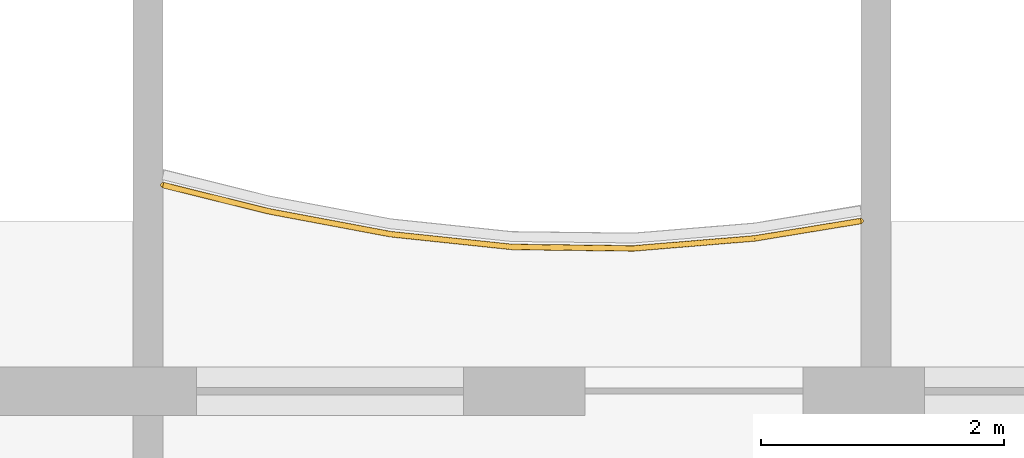
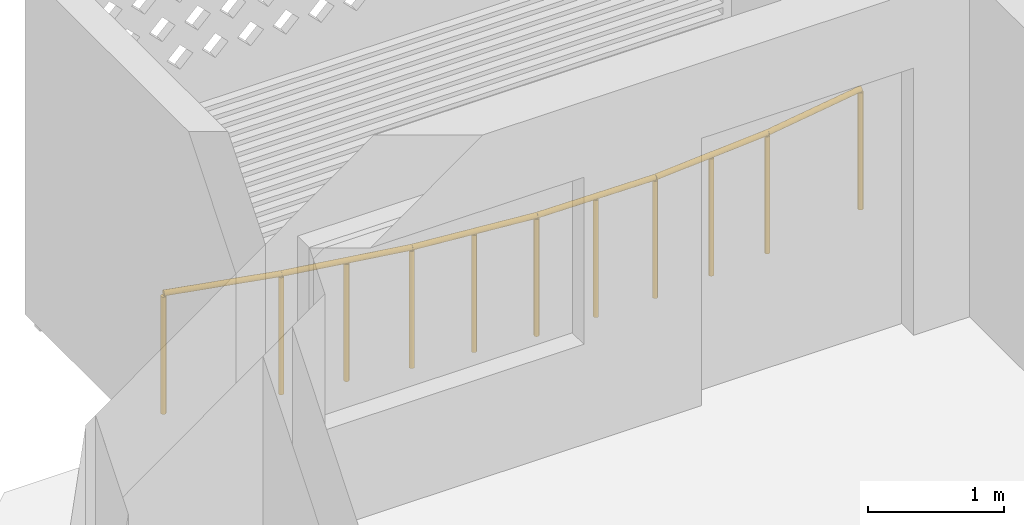
# One storey, part 15 of 26: 1 railing.
"""IFC4 building model written with IfcOpenShell, lengths in metres."""

from ifc_helpers import new_model, si_unit, direction, frame, origin, origin_2d, place, context, subcontext, project, spatial, circle, extrude, material, type_object, element, save


model = new_model("IFC4")

# Units and contexts
model_context = context("Model", 3, precision=1e-05, world=origin(), true_north=direction((0.0, 1.0)))
body_context = subcontext(model_context, "Body", "Model", "MODEL_VIEW")
ifc_project = project(units=[si_unit("LENGTHUNIT", "METRE"), si_unit("AREAUNIT", "SQUARE_METRE"), si_unit("VOLUMEUNIT", "CUBIC_METRE"), si_unit("PLANEANGLEUNIT", "RADIAN"), si_unit("MASSUNIT", "GRAM", prefix="KILO")], contexts=[model_context])

# Site, building, storey
site_placement = place(None, origin())
site = spatial("IfcSite", under=ifc_project, at=site_placement, CompositionType="ELEMENT")
building_placement = place(site_placement, origin())
building = spatial("IfcBuilding", under=site, at=building_placement, Name="Poui Terraces", CompositionType="ELEMENT")
storey_placement = place(building_placement, frame((0.0, 0.0, 171.89990234375)))
storey = spatial("IfcBuildingStorey", under=building, at=storey_placement, Name="L47", CompositionType="ELEMENT", Elevation=171.89990234375)

# Railing
ifc_material = material(Name="Painted steel fretwork", Category="steel")
railing_type = type_object("IfcRailingType", Name="BALCONY GUARD 1100", PredefinedType="GUARDRAIL", material=ifc_material)
railing_placement = place(storey_placement, frame((24.125, 42.8984375, 0.0)))
element("IfcRailing", 1, at=railing_placement, inside=storey, type_object=railing_type, Name="BALCONY GUARD", PredefinedType="GUARDRAIL", context=body_context, shape_type="SweptSolid", body=[
    extrude(circle(Radius=0.02392578125, at=origin_2d()), frame((0.0, 0.0, 1.076171875), z_axis=(0.970650152273, -0.240495908264, 0.0), x_axis=(0.240495908264, 0.970650152273, 0.0)), (0.0, 0.0, 1.0), 0.9013671875),
    extrude(circle(Radius=0.02392578125, at=origin_2d()), frame((0.875, -0.216796875, 1.076171875), z_axis=(0.982828697247, -0.184520329146, 0.0), x_axis=(0.184520329146, 0.982828697247, 0.0)), (0.0, 0.0, 1.0), 1.017578125),
    extrude(circle(Radius=0.02392578125, at=origin_2d()), frame((1.875, -0.404541015625, 1.076171875), z_axis=(0.994509443434, -0.104646867705, 0.0), x_axis=(0.104646867705, 0.994509443434, 0.0)), (0.0, 0.0, 1.0), 1.005615234375),
    extrude(circle(Radius=0.02392578125, at=origin_2d()), frame((2.875, -0.509765625, 1.076171875), z_axis=(0.999928452303, -0.011962034708, 0.0), x_axis=(0.011962034708, 0.999928452303, 0.0)), (0.0, 0.0, 1.0), 1.0),
    extrude(circle(Radius=0.02392578125, at=origin_2d()), frame((3.875, -0.521728515625, 1.076171875), z_axis=(0.99661255374, 0.082240000773, 0.0), x_axis=(-0.082240000773, 0.99661255374, 0.0)), (0.0, 0.0, 1.0), 1.00341796875),
    extrude(circle(Radius=0.02392578125, at=origin_2d()), frame((4.875, -0.439208984375, 1.076171875), z_axis=(0.986851434927, 0.16162996437, 0.0), x_axis=(-0.16162996437, 0.986851434927, 0.0)), (0.0, 0.0, 1.0), 0.88671875),
    extrude(circle(Radius=0.02099609375, at=origin_2d()), origin(), (0.0, 0.0, 1.0), 1.052001953125),
    extrude(circle(Radius=0.02099609375, at=origin_2d()), frame((0.875, -0.216796875, 0.0)), (0.0, 0.0, 1.0), 1.052001953125),
    extrude(circle(Radius=0.02099609375, at=origin_2d()), frame((1.375, -0.310546875, 0.0)), (0.0, 0.0, 1.0), 1.052001953125),
    extrude(circle(Radius=0.02099609375, at=origin_2d()), frame((1.875, -0.404541015625, 0.0)), (0.0, 0.0, 1.0), 1.052001953125),
    extrude(circle(Radius=0.02099609375, at=origin_2d()), frame((2.375, -0.45703125, 0.0)), (0.0, 0.0, 1.0), 1.052001953125),
    extrude(circle(Radius=0.02099609375, at=origin_2d()), frame((2.875, -0.509765625, 0.0)), (0.0, 0.0, 1.0), 1.052001953125),
    extrude(circle(Radius=0.02099609375, at=origin_2d()), frame((3.375, -0.515625, 0.0)), (0.0, 0.0, 1.0), 1.052001953125),
    extrude(circle(Radius=0.02099609375, at=origin_2d()), frame((3.875, -0.521728515625, 0.0)), (0.0, 0.0, 1.0), 1.052001953125),
    extrude(circle(Radius=0.02099609375, at=origin_2d()), frame((4.375, -0.48046875, 0.0)), (0.0, 0.0, 1.0), 1.052001953125),
    extrude(circle(Radius=0.02099609375, at=origin_2d()), frame((4.875, -0.439208984375, 0.0)), (0.0, 0.0, 1.0), 1.052001953125),
    extrude(circle(Radius=0.02099609375, at=origin_2d()), frame((5.75, -0.2958984375, 0.0)), (0.0, 0.0, 1.0), 1.052001953125),
])

save(model, "model.ifc")
